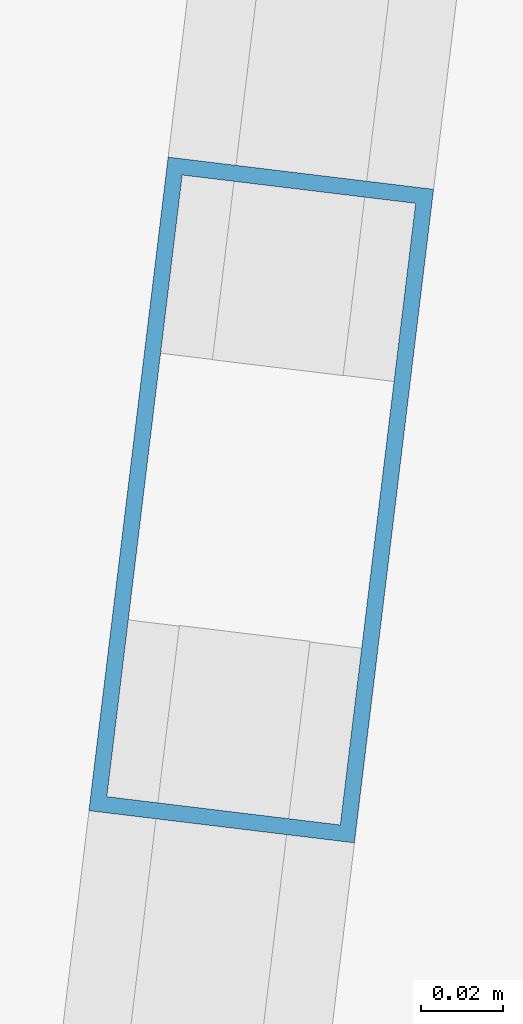
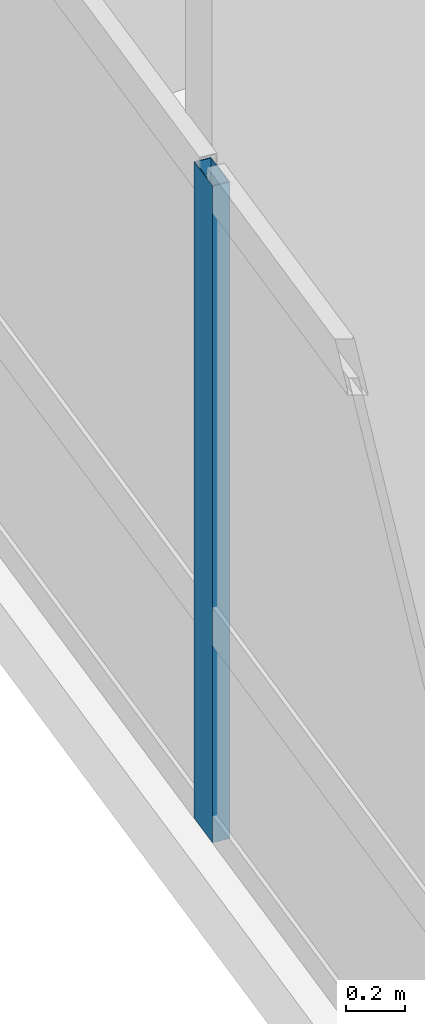
# One storey, part 4 of 26: 1 member, 1 element without a shape of its own.
"""IFC4 building model written with IfcOpenShell, lengths in metres."""

from ifc_helpers import new_model, si_unit, direction, frame, origin, origin_2d, place, context, subcontext, project, spatial, hollow_rectangle, extrude, material, layer, layer_set, material_profile, profile_set, type_object, element, aggregate, save


model = new_model("IFC4")

# Units and contexts
model_context = context("Model", 3, precision=1e-05, world=origin(), true_north=direction((0.0, 1.0)))
body_context = subcontext(model_context, "Body", "Model", "MODEL_VIEW")
ifc_project = project(units=[si_unit("LENGTHUNIT", "METRE"), si_unit("AREAUNIT", "SQUARE_METRE"), si_unit("VOLUMEUNIT", "CUBIC_METRE"), si_unit("PLANEANGLEUNIT", "RADIAN"), si_unit("MASSUNIT", "GRAM", prefix="KILO")], contexts=[model_context])

# Site, building, storey
site_placement = place(None, origin())
site = spatial("IfcSite", under=ifc_project, at=site_placement, CompositionType="ELEMENT")
building_placement = place(site_placement, origin())
building = spatial("IfcBuilding", under=site, at=building_placement, Name="Varnelok Gate Tower", CompositionType="ELEMENT")
storey_placement = place(building_placement, frame((0.0, 0.0, 147.60009765625)))
storey = spatial("IfcBuildingStorey", under=building, at=storey_placement, Name="L37", CompositionType="ELEMENT", Elevation=147.60009765625)

# Curtain wall, member
ifc_material = material(Name="Anodized Aluminum Alloy 6063-T6", Category="aluminium")
ifc_layer = layer(ifc_material, 0.179931640625)
ifc_layer_set = layer_set([ifc_layer], Name="Anodized Aluminum Alloy 6063-T6")
curtain_wall_type = type_object("IfcCurtainWallType", Name="CW3-HOTEL-VISION", PredefinedType="USERDEFINED", material=ifc_layer_set)
curtain_wall_placement = place(storey_placement, origin())
curtain_wall = element("IfcCurtainWall", 1, at=curtain_wall_placement, inside=storey, type_object=curtain_wall_type, Name="L37 West End Vision Curtain Wall", ObjectType="UNITISED CURTAIN WALL", PredefinedType="USERDEFINED")
ifc_material_profile = material_profile(ifc_material, hollow_rectangle(XDim=0.06494140625, YDim=0.159912109375, WallThickness=0.00390625, at=origin_2d()), Name="ALU160X65X4")
ifc_profile_set = profile_set([ifc_material_profile], Name="Anodized Aluminum Alloy 6063-T6")
member_type = type_object("IfcMemberType", Name="CW-MULL-160", PredefinedType="MULLION", material=ifc_profile_set)
member_placement = place(storey_placement, frame((1.109619140625, 19.03857421875, 0.0), z_axis=(0.0, 0.0, 1.0), x_axis=(-0.99273188146, 0.120347046212, 0.0)))
member = element("IfcMember", 2, at=member_placement, type_object=member_type, Name="CW3 mullion 2", PredefinedType="MULLION", context=body_context, shape_type="SweptSolid", body=[
    extrude(hollow_rectangle(XDim=0.06494140625, YDim=0.159912109375, WallThickness=0.00390625, at=origin_2d()), origin(), (0.0, 0.0, 1.0), 2.72998046875),
])
aggregate(curtain_wall, [member])

save(model, "model.ifc")
